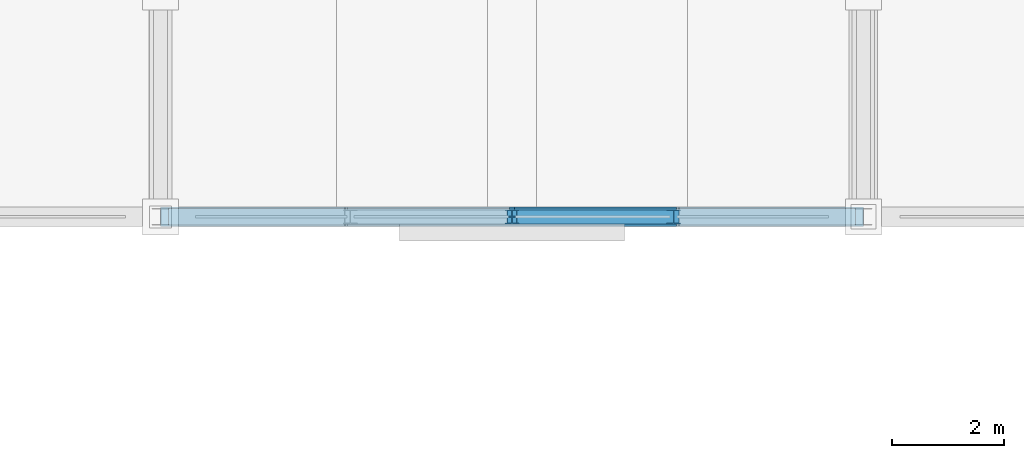
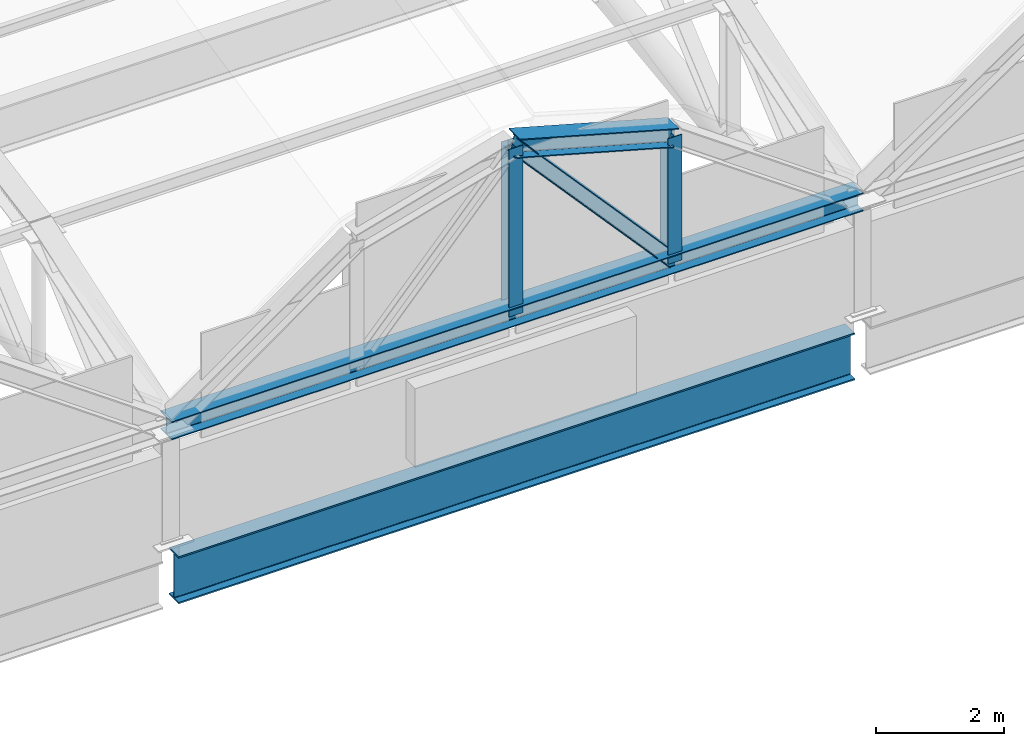
# One storey, part 17 of 117: 5 members, 1 beam.
"""IFC4 building model written with IfcOpenShell, lengths in metres."""

from ifc_helpers import new_model, si_unit, direction, frame, origin, origin_2d, place, context, subcontext, project, spatial, i_section, extrude, material, material_profile, profile_set, type_object, element, save


model = new_model("IFC4")

# Units and contexts
model_context = context("Model", 3, precision=1e-05, world=origin(), true_north=direction((0.0, 1.0)))
body_context = subcontext(model_context, "Body", "Model", "MODEL_VIEW")
ifc_project = project(units=[si_unit("LENGTHUNIT", "METRE"), si_unit("AREAUNIT", "SQUARE_METRE"), si_unit("VOLUMEUNIT", "CUBIC_METRE"), si_unit("PLANEANGLEUNIT", "RADIAN"), si_unit("MASSUNIT", "GRAM", prefix="KILO")], contexts=[model_context])

# Site, building, storey
site_placement = place(None, origin())
site = spatial("IfcSite", under=ifc_project, at=site_placement, CompositionType="ELEMENT")
building_placement = place(site_placement, origin())
building = spatial("IfcBuilding", under=site, at=building_placement, Name="Kazenohara Klinker Stadium", CompositionType="ELEMENT")
storey_placement = place(building_placement, frame((0.0, 0.0, 31.199951171875)))
storey = spatial("IfcBuildingStorey", under=building, at=storey_placement, Name="RF", CompositionType="ELEMENT", Elevation=31.199951171875)

# Members
ifc_material = material(Name="Steel S355", Category="steel")
ifc_material_profile_1 = material_profile(ifc_material, i_section(OverallWidth=0.35009765625, OverallDepth=0.35009765625, WebThickness=0.011962890625, FlangeThickness=0.01904296875, FilletRadius=0.012939453125, at=origin_2d()), Name="H-350x350x12x19")
ifc_profile_set_1 = profile_set([ifc_material_profile_1], Name="Steel S355")
member_type_1 = type_object("IfcMemberType", Name="MEM-CHD02", PredefinedType="CHORD", material=ifc_profile_set_1)
member_1_placement = place(storey_placement, frame((86.5, 24.0, 2.10009765625), z_axis=(1.0, 0.0, 0.0), x_axis=(0.0, 1.0, 0.0)))
element("IfcMember", 1, at=member_1_placement, inside=storey, type_object=member_type_1, Name="Barrel arch tie chord TC02 S-03-N0", PredefinedType="CHORD", context=body_context, shape_type="SweptSolid", body=[
    extrude(i_section(OverallWidth=0.35009765625, OverallDepth=0.35009765625, WebThickness=0.011962890625, FlangeThickness=0.01904296875, FilletRadius=0.012939453125, at=origin_2d()), origin(), (0.0, 0.0, 1.0), 12.5),
])
member_2_placement = place(storey_placement, frame((92.75, 24.0, 5.300048828125), z_axis=(0.963393567269, 0.0, -0.268091093745), x_axis=(0.0, 1.0, 0.0)))
element("IfcMember", 2, at=member_2_placement, inside=storey, type_object=member_type_1, Name="Barrel arch top rib TC02 S-03-N0-S3", PredefinedType="CHORD", context=body_context, shape_type="SweptSolid", body=[
    extrude(i_section(OverallWidth=0.35009765625, OverallDepth=0.35009765625, WebThickness=0.011962890625, FlangeThickness=0.01904296875, FilletRadius=0.012939453125, at=origin_2d()), origin(), (0.0, 0.0, 1.0), 2.984130859375),
])
ifc_material_profile_2 = material_profile(ifc_material, i_section(OverallWidth=0.25, OverallDepth=0.25, WebThickness=0.009033203125, FlangeThickness=0.013916015625, FilletRadius=0.012939453125, at=origin_2d()), Name="H-250x250x9x14")
ifc_profile_set_2 = profile_set([ifc_material_profile_2], Name="Steel S355")
member_type_2 = type_object("IfcMemberType", Name="MEM-STR02", PredefinedType="STRUT", material=ifc_profile_set_2)
member_3_placement = place(storey_placement, frame((92.75, 24.0, 2.10009765625), z_axis=(0.0, 0.0, 1.0), x_axis=(1.0, 0.0, 0.0)))
element("IfcMember", 3, at=member_3_placement, inside=storey, type_object=member_type_2, Name="Barrel arch web post TS02 S-03-N0-P2", PredefinedType="STRUT", context=body_context, shape_type="SweptSolid", body=[
    extrude(i_section(OverallWidth=0.25, OverallDepth=0.25, WebThickness=0.009033203125, FlangeThickness=0.013916015625, FilletRadius=0.012939453125, at=origin_2d()), origin(), (0.0, 0.0, 1.0), 3.199951171875),
])
member_4_placement = place(storey_placement, frame((95.625, 24.0, 2.10009765625), z_axis=(0.0, 0.0, 1.0), x_axis=(1.0, 0.0, 0.0)))
element("IfcMember", 4, at=member_4_placement, inside=storey, type_object=member_type_2, Name="Barrel arch web post TS02 S-03-N0-P3", PredefinedType="STRUT", context=body_context, shape_type="SweptSolid", body=[
    extrude(i_section(OverallWidth=0.25, OverallDepth=0.25, WebThickness=0.009033203125, FlangeThickness=0.013916015625, FilletRadius=0.012939453125, at=origin_2d()), origin(), (0.0, 0.0, 1.0), 2.39990234375),
])
member_5_placement = place(storey_placement, frame((95.625, 24.0, 2.10009765625), z_axis=(-0.668327970369, 0.0, 0.74386673808), x_axis=(0.0, -1.0, 0.0)))
element("IfcMember", 5, at=member_5_placement, inside=storey, type_object=member_type_2, Name="Barrel arch web diagonal TS02 S-03-N0-D2", PredefinedType="STRUT", context=body_context, shape_type="SweptSolid", body=[
    extrude(i_section(OverallWidth=0.25, OverallDepth=0.25, WebThickness=0.009033203125, FlangeThickness=0.013916015625, FilletRadius=0.012939453125, at=origin_2d()), origin(), (0.0, 0.0, 1.0), 4.3017578125),
])

# Beam
ifc_material_profile_3 = material_profile(ifc_material, i_section(OverallWidth=0.300048828125, OverallDepth=0.89990234375, WebThickness=0.01611328125, FlangeThickness=0.028076171875, FilletRadius=0.02197265625, at=origin_2d()), Name="H-900x300x16x28")
ifc_profile_set_3 = profile_set([ifc_material_profile_3], Name="Steel S355")
beam_type = type_object("IfcBeamType", Name="RING-RB01", PredefinedType="USERDEFINED", material=ifc_profile_set_3)
beam_placement = place(storey_placement, frame((86.639892578125, 24.0, -0.820068359375), z_axis=(1.0, 0.0, 0.0), x_axis=(0.0, 1.0, 0.0)))
element("IfcBeam", 6, at=beam_placement, inside=storey, type_object=beam_type, Name="Roof ring beam RB01 S-OUT 8-9", ObjectType="RING BEAM", PredefinedType="USERDEFINED", context=body_context, shape_type="SweptSolid", body=[
    extrude(i_section(OverallWidth=0.300048828125, OverallDepth=0.89990234375, WebThickness=0.01611328125, FlangeThickness=0.028076171875, FilletRadius=0.02197265625, at=origin_2d()), origin(), (0.0, 0.0, 1.0), 12.22021484375),
])

save(model, "model.ifc")
